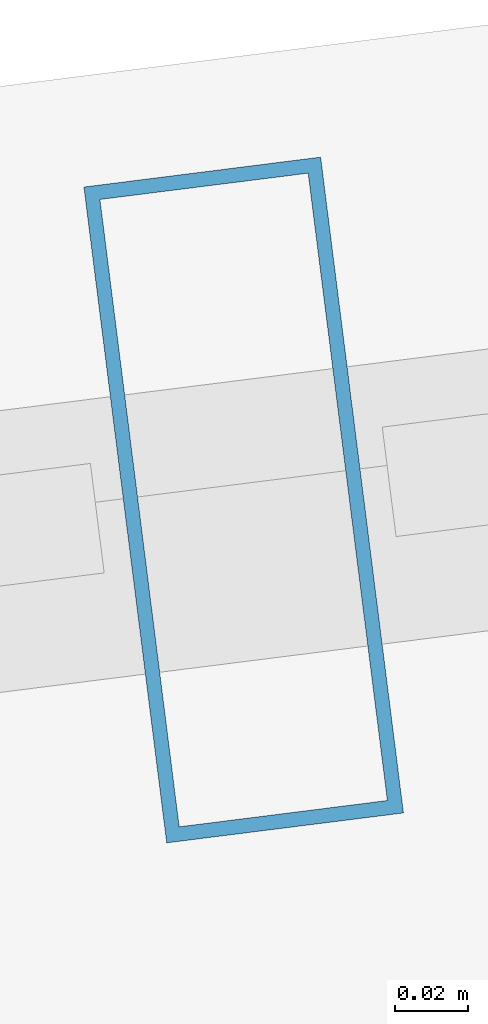
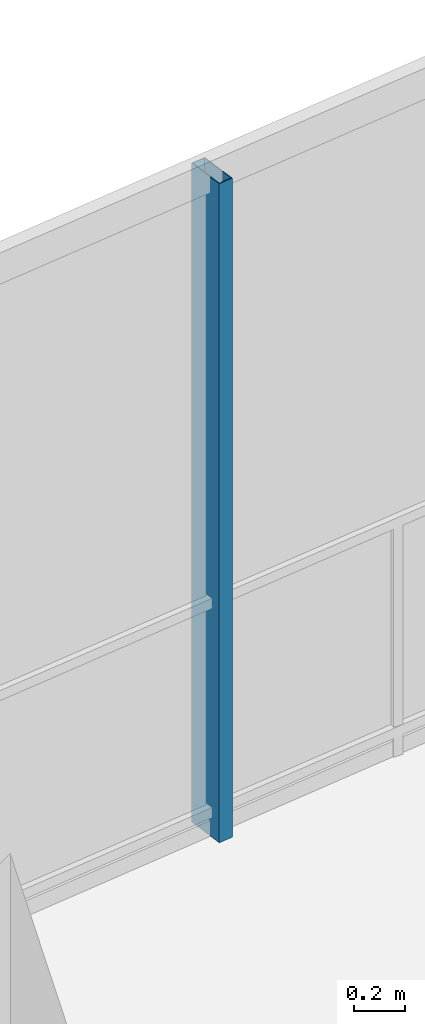
# One storey, part 20 of 30: 1 member, 1 element without a shape of its own.
"""IFC4 building model written with IfcOpenShell, lengths in metres."""

from ifc_helpers import new_model, si_unit, direction, frame, origin, origin_2d, place, context, subcontext, project, spatial, hollow_rectangle, extrude, material, layer, layer_set, material_profile, profile_set, type_object, element, aggregate, save


model = new_model("IFC4")

# Units and contexts
model_context = context("Model", 3, precision=1e-05, world=origin(), true_north=direction((0.0, 1.0)))
body_context = subcontext(model_context, "Body", "Model", "MODEL_VIEW")
ifc_project = project(units=[si_unit("LENGTHUNIT", "METRE"), si_unit("AREAUNIT", "SQUARE_METRE"), si_unit("VOLUMEUNIT", "CUBIC_METRE"), si_unit("PLANEANGLEUNIT", "RADIAN"), si_unit("MASSUNIT", "GRAM", prefix="KILO")], contexts=[model_context])

# Site, building, storey
site_placement = place(None, origin())
site = spatial("IfcSite", under=ifc_project, at=site_placement, CompositionType="ELEMENT")
building_placement = place(site_placement, origin())
building = spatial("IfcBuilding", under=site, at=building_placement, Name="Qarnah Convention Tower", CompositionType="ELEMENT")
storey_placement = place(building_placement, frame((0.0, 0.0, 93.60009765625)))
storey = spatial("IfcBuildingStorey", under=building, at=storey_placement, Name="L24", CompositionType="ELEMENT", Elevation=93.60009765625)

# Curtain wall, member
ifc_material_1 = material(Name="Tempered Low-E dark glass", Category="glass")
ifc_layer = layer(ifc_material_1, 0.169921875)
ifc_layer_set = layer_set([ifc_layer], Name="Tempered Low-E dark glass")
curtain_wall_type = type_object("IfcCurtainWallType", Name="CWS-02", PredefinedType="NOTDEFINED", material=ifc_layer_set)
curtain_wall_placement = place(storey_placement, origin())
curtain_wall = element("IfcCurtainWall", 1, at=curtain_wall_placement, inside=storey, type_object=curtain_wall_type, Name="L24 unitised curtain wall CW-L24-F1", PredefinedType="NOTDEFINED")
ifc_material_2 = material(Name="Black anodised aluminium", Category="aluminium")
ifc_material_profile = material_profile(ifc_material_2, hollow_rectangle(XDim=0.06494140625, YDim=0.179931640625, WallThickness=0.00390625, at=origin_2d()), Name="MUL-65X180")
ifc_profile_set = profile_set([ifc_material_profile], Name="Black anodised aluminium")
member_type = type_object("IfcMemberType", Name="MUL-T2", PredefinedType="MULLION", material=ifc_profile_set)
member_placement = place(storey_placement, frame((39.10791015625, 44.27978515625, 0.0), z_axis=(0.0, 0.0, 1.0), x_axis=(0.992119561144, 0.125294758056, 0.0)))
member = element("IfcMember", 2, at=member_placement, type_object=member_type, Name="CW-L24-F1 mullion 4", PredefinedType="MULLION", context=body_context, shape_type="SweptSolid", body=[
    extrude(hollow_rectangle(XDim=0.06494140625, YDim=0.179931640625, WallThickness=0.00390625, at=origin_2d()), origin(), (0.0, 0.0, 1.0), 3.169921875),
])
aggregate(curtain_wall, [member])

save(model, "model.ifc")
